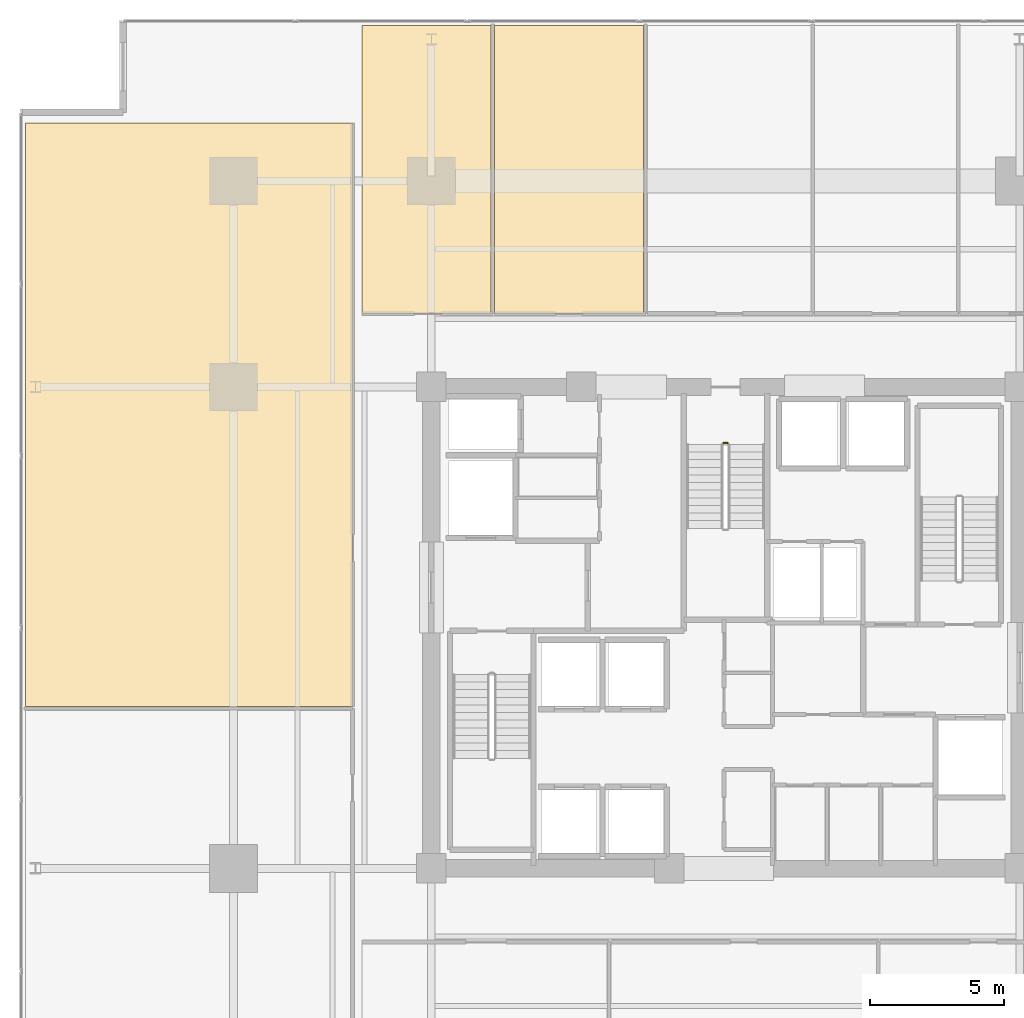
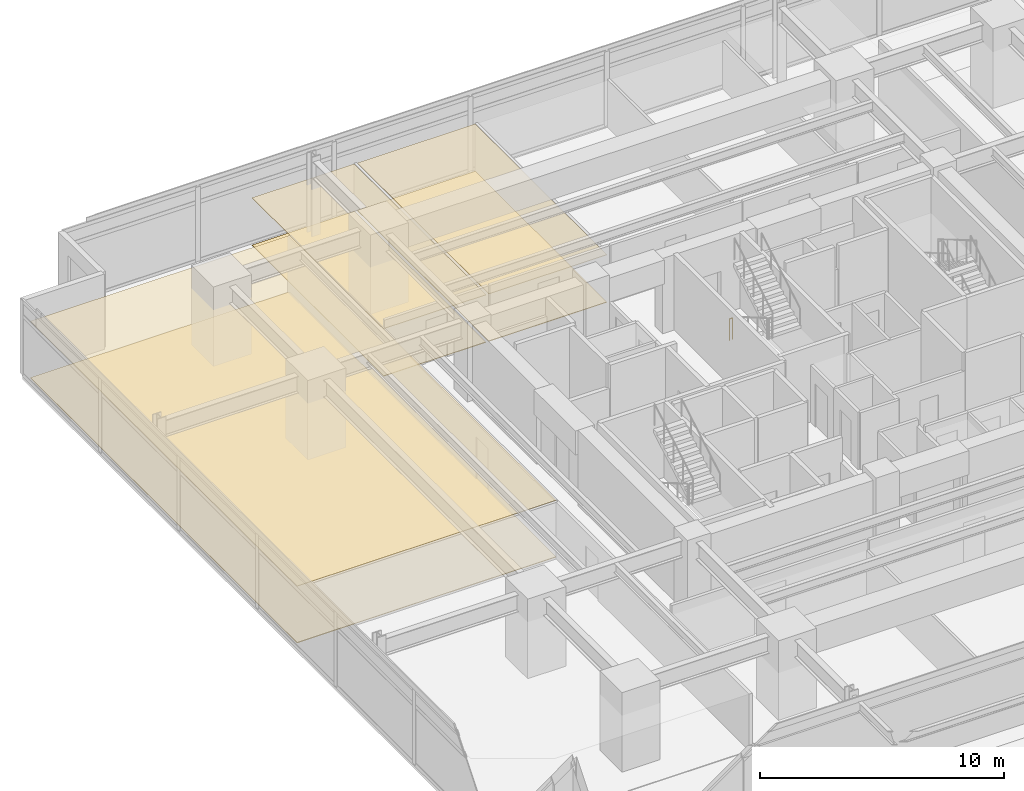
# One storey, part 20 of 21: 6 coverings, 1 railing.
"""IFC4 building model written with IfcOpenShell, lengths in metres."""

from ifc_helpers import new_model, si_unit, direction, frame, origin, origin_2d, place, context, subcontext, project, spatial, polyline, circle, outline, extrude, material, layer, layer_set, type_object, element, save


model = new_model("IFC4")

# Units and contexts
model_context = context("Model", 3, precision=1e-05, world=origin(), true_north=direction((0.0, 1.0)))
body_context = subcontext(model_context, "Body", "Model", "MODEL_VIEW")
ifc_project = project(units=[si_unit("LENGTHUNIT", "METRE"), si_unit("AREAUNIT", "SQUARE_METRE"), si_unit("VOLUMEUNIT", "CUBIC_METRE"), si_unit("PLANEANGLEUNIT", "RADIAN"), si_unit("MASSUNIT", "GRAM", prefix="KILO")], contexts=[model_context])

# Site, building, storey
site_placement = place(None, origin())
site = spatial("IfcSite", under=ifc_project, at=site_placement, CompositionType="ELEMENT")
building_placement = place(site_placement, origin())
building = spatial("IfcBuilding", under=site, at=building_placement, Name="Kovane Verandah Tower", CompositionType="ELEMENT")
storey_placement = place(building_placement, frame((0.0, 0.0, 87.60009765625)))
storey = spatial("IfcBuildingStorey", under=building, at=storey_placement, Name="L20", CompositionType="ELEMENT", Elevation=87.60009765625)

# Coverings
ifc_material_1 = material(Name="Perforated Acoustic Mineral-Fibre Ceiling Tile", Category="gypsum")
ifc_layer_1 = layer(ifc_material_1, 0.02490234375)
ifc_layer_set_1 = layer_set([ifc_layer_1], Name="Perforated Acoustic Mineral-Fibre Ceiling Tile")
covering_type_1 = type_object("IfcCoveringType", Name="CV-CEIL-25", PredefinedType="CEILING", material=ifc_layer_set_1)
covering_1_placement = place(storey_placement, frame((0.0, 0.0, 2.364990234375)))
element("IfcCovering", 1, at=covering_1_placement, inside=storey, type_object=covering_type_1, Name="L20 Breakout Pantry N1 Acoustic Ceiling", PredefinedType="CEILING", context=body_context, shape_type="SweptSolid", body=[
    extrude(outline(polyline([(26.39990234375, 39.25), (31.22607421875, 39.25), (31.22607421875, 50.02099609375), (26.39990234375, 50.02099609375), (26.39990234375, 39.25)])), origin(), (0.0, 0.0, 1.0), 0.02490234375),
])
covering_2_placement = place(storey_placement, frame((0.0, 0.0, 2.364990234375)))
element("IfcCovering", 2, at=covering_2_placement, inside=storey, type_object=covering_type_1, Name="L20 Collaboration Hub N2 Acoustic Ceiling", PredefinedType="CEILING", context=body_context, shape_type="SweptSolid", body=[
    extrude(outline(polyline([(31.365966796875, 39.25), (36.93798828125, 39.25), (36.93798828125, 50.02099609375), (31.365966796875, 50.02099609375), (31.365966796875, 39.25)])), origin(), (0.0, 0.0, 1.0), 0.02490234375),
])
covering_3_placement = place(storey_placement, frame((0.0, 0.0, 2.824951171875)))
element("IfcCovering", 3, at=covering_3_placement, inside=storey, type_object=covering_type_1, Name="L20 Collaboration Hub W2 Acoustic Ceiling", PredefinedType="CEILING", context=body_context, shape_type="SweptSolid", body=[
    extrude(outline(polyline([(13.820068359375, 24.55078125), (26.050048828125, 24.55078125), (26.050048828125, 46.370849609375), (13.820068359375, 46.370849609375), (13.820068359375, 24.55078125)])), origin(), (0.0, 0.0, 1.0), 0.02490234375),
])
ifc_material_2 = material(Name="Polished Terrazzo and Raised-Access Carpet Tile Finish", Category="concrete")
ifc_layer_2 = layer(ifc_material_2, 0.030029296875)
ifc_layer_set_2 = layer_set([ifc_layer_2], Name="Polished Terrazzo and Raised-Access Carpet Tile Finish")
covering_type_2 = type_object("IfcCoveringType", Name="CV-FLOR-30", PredefinedType="FLOORING", material=ifc_layer_set_2)
covering_4_placement = place(storey_placement, origin())
element("IfcCovering", 4, at=covering_4_placement, inside=storey, type_object=covering_type_2, Name="L20 Breakout Pantry N1 Floor Finish", PredefinedType="FLOORING", context=body_context, shape_type="SweptSolid", body=[
    extrude(outline(polyline([(26.39990234375, 39.25), (31.22607421875, 39.25), (31.22607421875, 50.02099609375), (26.39990234375, 50.02099609375), (26.39990234375, 39.25)])), origin(), (0.0, 0.0, 1.0), 0.02978515625),
])
covering_5_placement = place(storey_placement, origin())
element("IfcCovering", 5, at=covering_5_placement, inside=storey, type_object=covering_type_2, Name="L20 Collaboration Hub N2 Floor Finish", PredefinedType="FLOORING", context=body_context, shape_type="SweptSolid", body=[
    extrude(outline(polyline([(31.365966796875, 39.25), (36.93798828125, 39.25), (36.93798828125, 50.02099609375), (31.365966796875, 50.02099609375), (31.365966796875, 39.25)])), origin(), (0.0, 0.0, 1.0), 0.02978515625),
])
covering_6_placement = place(storey_placement, origin())
element("IfcCovering", 6, at=covering_6_placement, inside=storey, type_object=covering_type_2, Name="L20 Collaboration Hub W2 Floor Finish", PredefinedType="FLOORING", context=body_context, shape_type="SweptSolid", body=[
    extrude(outline(polyline([(13.820068359375, 24.55078125), (26.050048828125, 24.55078125), (26.050048828125, 46.370849609375), (13.820068359375, 46.370849609375), (13.820068359375, 24.55078125)])), origin(), (0.0, 0.0, 1.0), 0.02978515625),
])

# Railing
ifc_material_3 = material(Name="Painted Steel Stairwell Guardrail", Category="steel")
railing_type = type_object("IfcRailingType", Name="RL-STGUARD-1120", PredefinedType="GUARDRAIL", material=ifc_material_3)
railing_placement = place(storey_placement, frame((39.919921875, 34.39990234375, 0.0)))
element("IfcRailing", 7, at=railing_placement, inside=storey, type_object=railing_type, Name="L20 ST-03 stair guard 4", PredefinedType="GUARDRAIL", context=body_context, shape_type="SweptSolid", body=[
    extrude(circle(Radius=0.02392578125, at=origin_2d()), frame((0.0, 0.0, 1.076171875), z_axis=(1.0, 0.0, 0.0), x_axis=(0.0, 1.0, 0.0)), (0.0, 0.0, 1.0), 0.16015625),
    extrude(circle(Radius=0.02099609375, at=origin_2d()), origin(), (0.0, 0.0, 1.0), 1.052001953125),
    extrude(circle(Radius=0.02099609375, at=origin_2d()), frame((0.16015625, 0.0, 0.0)), (0.0, 0.0, 1.0), 1.052001953125),
])

save(model, "model.ifc")
